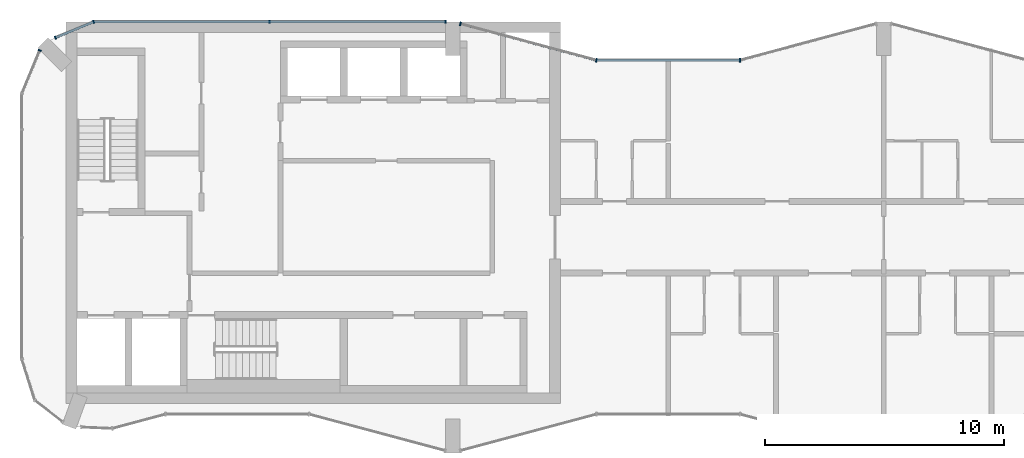
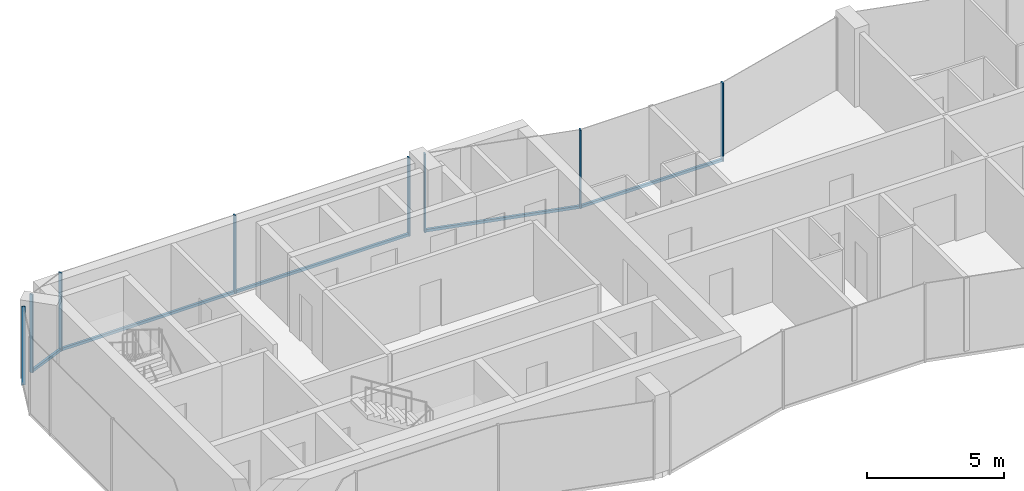
# One storey, part 4 of 10: 12 members, 5 elements without a shape of their own.
"""IFC4 building model written with IfcOpenShell, lengths in metres."""

from ifc_helpers import new_model, si_unit, direction, frame, origin, origin_2d, place, context, subcontext, project, spatial, rectangle, extrude, material, layer, layer_set, material_profile, profile_set, type_object, element, aggregate, save


model = new_model("IFC4")

# Units and contexts
model_context = context("Model", 3, precision=1e-05, world=origin(), true_north=direction((0.0, 1.0)))
body_context = subcontext(model_context, "Body", "Model", "MODEL_VIEW")
ifc_project = project(units=[si_unit("LENGTHUNIT", "METRE"), si_unit("AREAUNIT", "SQUARE_METRE"), si_unit("VOLUMEUNIT", "CUBIC_METRE"), si_unit("PLANEANGLEUNIT", "RADIAN"), si_unit("MASSUNIT", "GRAM", prefix="KILO")], contexts=[model_context])

# Site, building, storey
site_placement = place(None, origin())
site = spatial("IfcSite", under=ifc_project, at=site_placement, CompositionType="ELEMENT")
building_placement = place(site_placement, origin())
building = spatial("IfcBuilding", under=site, at=building_placement, Name="Plateau Cross Towers", CompositionType="ELEMENT")
storey_placement = place(building_placement, frame((0.0, 0.0, 270.39990234375)))
storey = spatial("IfcBuildingStorey", under=building, at=storey_placement, Name="L71", CompositionType="ELEMENT", Elevation=270.39990234375)

# Curtain wall, members
ifc_material_1 = material(Name="Dark low-iron glass", Category="glass")
ifc_layer_1 = layer(ifc_material_1, 0.239990234375)
ifc_layer_set_1 = layer_set([ifc_layer_1], Name="Dark low-iron glass")
curtain_wall_type_1 = type_object("IfcCurtainWallType", Name="Curtain wall flush unitised CW-B", PredefinedType="NOTDEFINED", material=ifc_layer_set_1)
curtain_wall_1_placement = place(storey_placement, origin())
curtain_wall_1 = element("IfcCurtainWall", 1, at=curtain_wall_1_placement, inside=storey, type_object=curtain_wall_type_1, Name="ENV/A/L71/A177_180", PredefinedType="NOTDEFINED")
ifc_material_2 = material(Name="Black anodised aluminium", Category="aluminium")
ifc_material_profile_1 = material_profile(ifc_material_2, rectangle(XDim=0.06005859375, YDim=0.139892578125, at=origin_2d()), Name="MULLION 60x140")
ifc_profile_set_1 = profile_set([ifc_material_profile_1], Name="Black anodised aluminium")
member_type_1 = type_object("IfcMemberType", Name="Mullion 60x140 flush unitised", PredefinedType="MULLION", material=ifc_profile_set_1)
member_1_placement = place(storey_placement, frame((17.699951171875, 18.0, -0.25), z_axis=(0.0, 0.0, 1.0), x_axis=(-1.0, 0.0, 0.0)))
member_1 = element("IfcMember", 2, at=member_1_placement, type_object=member_type_1, Name="CW-B mullion 1", PredefinedType="MULLION", context=body_context, shape_type="SweptSolid", body=[
    extrude(rectangle(XDim=0.06005859375, YDim=0.139892578125, at=origin_2d()), origin(), (0.0, 0.0, 1.0), 3.5),
])
member_2_placement = place(storey_placement, frame((10.35009765625, 18.0, -0.25), z_axis=(0.0, 0.0, 1.0), x_axis=(-1.0, 0.0, 0.0)))
member_2 = element("IfcMember", 3, at=member_2_placement, type_object=member_type_1, Name="CW-B mullion 2", PredefinedType="MULLION", context=body_context, shape_type="SweptSolid", body=[
    extrude(rectangle(XDim=0.06005859375, YDim=0.139892578125, at=origin_2d()), origin(), (0.0, 0.0, 1.0), 3.5),
])

curtain_wall_2_placement = place(storey_placement, origin())
curtain_wall_2 = element("IfcCurtainWall", 4, at=curtain_wall_2_placement, inside=storey, type_object=curtain_wall_type_1, Name="ENV/A/L71/A30_180", PredefinedType="NOTDEFINED")
member_3_placement = place(storey_placement, frame((3.0, 18.0, -0.25), z_axis=(0.0, 0.0, 1.0), x_axis=(-0.923879457699, -0.382683612978, 0.0)))
member_3 = element("IfcMember", 5, at=member_3_placement, type_object=member_type_1, Name="CW-B mullion 1", PredefinedType="MULLION", context=body_context, shape_type="SweptSolid", body=[
    extrude(rectangle(XDim=0.06005859375, YDim=0.139892578125, at=origin_2d()), origin(), (0.0, 0.0, 1.0), 3.5),
])
member_4_placement = place(storey_placement, frame((1.4033203125, 17.338623046875, -0.25), z_axis=(0.0, 0.0, 1.0), x_axis=(-0.923879457699, -0.382683612978, 0.0)))
member_4 = element("IfcMember", 6, at=member_4_placement, type_object=member_type_1, Name="CW-B mullion 2", PredefinedType="MULLION", context=body_context, shape_type="SweptSolid", body=[
    extrude(rectangle(XDim=0.06005859375, YDim=0.139892578125, at=origin_2d()), origin(), (0.0, 0.0, 1.0), 3.5),
])

# Curtain wall, member
curtain_wall_3_placement = place(storey_placement, origin())
curtain_wall_3 = element("IfcCurtainWall", 7, at=curtain_wall_3_placement, inside=storey, type_object=curtain_wall_type_1, Name="ENV/A/L71/A7_168", PredefinedType="NOTDEFINED")
member_5_placement = place(storey_placement, frame((0.748046875, 16.805908203125, -0.25), z_axis=(0.0, 0.0, 1.0), x_axis=(-0.382683612978, -0.923879457699, 0.0)))
member_5 = element("IfcMember", 8, at=member_5_placement, type_object=member_type_1, Name="CW-B mullion 1", PredefinedType="MULLION", context=body_context, shape_type="SweptSolid", body=[
    extrude(rectangle(XDim=0.06005859375, YDim=0.139892578125, at=origin_2d()), origin(), (0.0, 0.0, 1.0), 3.5),
])
aggregate(curtain_wall_3, [member_5])

ifc_layer_2 = layer(ifc_material_1, 0.260009765625)
ifc_layer_set_2 = layer_set([ifc_layer_2], Name="Dark low-iron glass")
curtain_wall_type_2 = type_object("IfcCurtainWallType", Name="Curtain wall fluted unitised CW-A", PredefinedType="NOTDEFINED", material=ifc_layer_set_2)
curtain_wall_4_placement = place(storey_placement, origin())
curtain_wall_4 = element("IfcCurtainWall", 9, at=curtain_wall_4_placement, inside=storey, type_object=curtain_wall_type_2, Name="ENV/A/L71/A300_164", PredefinedType="NOTDEFINED")
ifc_material_profile_2 = material_profile(ifc_material_2, rectangle(XDim=0.06005859375, YDim=0.159912109375, at=origin_2d()), Name="MULLION 60x160")
ifc_profile_set_2 = profile_set([ifc_material_profile_2], Name="Black anodised aluminium")
member_type_2 = type_object("IfcMemberType", Name="Mullion 60x160 fluted unitised", PredefinedType="MULLION", material=ifc_profile_set_2)
member_6_placement = place(storey_placement, frame((30.0, 16.39306640625, -0.25), z_axis=(0.0, 0.0, 1.0), x_axis=(-1.0, 0.0, 0.0)))
member_6 = element("IfcMember", 10, at=member_6_placement, type_object=member_type_2, Name="CW-A mullion 1", PredefinedType="MULLION", context=body_context, shape_type="SweptSolid", body=[
    extrude(rectangle(XDim=0.06005859375, YDim=0.159912109375, at=origin_2d()), origin(), (0.0, 0.0, 1.0), 3.5),
])

# Curtain wall, members
curtain_wall_5_placement = place(storey_placement, origin())
curtain_wall_5 = element("IfcCurtainWall", 11, at=curtain_wall_5_placement, inside=storey, type_object=curtain_wall_type_2, Name="ENV/A/L71/A240_164", PredefinedType="NOTDEFINED")
member_7_placement = place(storey_placement, frame((24.0, 16.39306640625, -0.25), z_axis=(0.0, 0.0, 1.0), x_axis=(-0.965957983404, 0.258699003279, 0.0)))
member_7 = element("IfcMember", 12, at=member_7_placement, type_object=member_type_2, Name="CW-A mullion 1", PredefinedType="MULLION", context=body_context, shape_type="SweptSolid", body=[
    extrude(rectangle(XDim=0.06005859375, YDim=0.159912109375, at=origin_2d()), origin(), (0.0, 0.0, 1.0), 3.5),
])
member_8_placement = place(storey_placement, frame((18.31787109375, 17.914794921875, -0.25), z_axis=(0.0, 0.0, 1.0), x_axis=(-0.965957983404, 0.258699003279, 0.0)))
member_8 = element("IfcMember", 13, at=member_8_placement, type_object=member_type_2, Name="CW-A mullion 2", PredefinedType="MULLION", context=body_context, shape_type="SweptSolid", body=[
    extrude(rectangle(XDim=0.06005859375, YDim=0.159912109375, at=origin_2d()), origin(), (0.0, 0.0, 1.0), 3.5),
])

# Member
ifc_material_profile_3 = material_profile(ifc_material_2, rectangle(XDim=0.10009765625, YDim=0.1201171875, at=origin_2d()), Name="TRANSOM 100x120")
ifc_profile_set_3 = profile_set([ifc_material_profile_3], Name="Black anodised aluminium")
member_type_3 = type_object("IfcMemberType", Name="Transom 100x120 flush unitised", PredefinedType="USERDEFINED", material=ifc_profile_set_3)
member_9_placement = place(storey_placement, frame((17.699951171875, 18.0, -0.18994140625), z_axis=(-1.0, 0.0, 0.0), x_axis=(0.0, -1.0, 0.0)))
member_9 = element("IfcMember", 14, at=member_9_placement, type_object=member_type_3, Name="CW-B transom", ObjectType="TRANSOM", PredefinedType="USERDEFINED", context=body_context, shape_type="SweptSolid", body=[
    extrude(rectangle(XDim=0.10009765625, YDim=0.1201171875, at=origin_2d()), origin(), (0.0, 0.0, 1.0), 14.699951171875),
])

aggregate(curtain_wall_1, [member_1, member_2, member_9])

member_10_placement = place(storey_placement, frame((3.0, 18.0, -0.18994140625), z_axis=(-0.923877369776, -0.382688653628, 0.0), x_axis=(0.382688653628, -0.923877369776, 0.0)))
member_10 = element("IfcMember", 15, at=member_10_placement, type_object=member_type_3, Name="CW-B transom", ObjectType="TRANSOM", PredefinedType="USERDEFINED", context=body_context, shape_type="SweptSolid", body=[
    extrude(rectangle(XDim=0.10009765625, YDim=0.1201171875, at=origin_2d()), origin(), (0.0, 0.0, 1.0), 1.728271484375),
])

aggregate(curtain_wall_2, [member_3, member_4, member_10])

ifc_material_profile_4 = material_profile(ifc_material_2, rectangle(XDim=0.10009765625, YDim=0.1201171875, at=origin_2d()), Name="TRANSOM 100x120")
ifc_profile_set_4 = profile_set([ifc_material_profile_4], Name="Black anodised aluminium")
member_type_4 = type_object("IfcMemberType", Name="Transom 100x120 fluted unitised", PredefinedType="USERDEFINED", material=ifc_profile_set_4)
member_11_placement = place(storey_placement, frame((30.0, 16.39306640625, -0.18994140625), z_axis=(-1.0, 0.0, 0.0), x_axis=(0.0, -1.0, 0.0)))
member_11 = element("IfcMember", 16, at=member_11_placement, type_object=member_type_4, Name="CW-A transom", ObjectType="TRANSOM", PredefinedType="USERDEFINED", context=body_context, shape_type="SweptSolid", body=[
    extrude(rectangle(XDim=0.10009765625, YDim=0.1201171875, at=origin_2d()), origin(), (0.0, 0.0, 1.0), 6.0),
])

aggregate(curtain_wall_4, [member_6, member_11])

member_12_placement = place(storey_placement, frame((24.0, 16.39306640625, -0.18994140625), z_axis=(-0.965959534794, 0.258693210465, 0.0), x_axis=(-0.258693210465, -0.965959534794, 0.0)))
member_12 = element("IfcMember", 17, at=member_12_placement, type_object=member_type_4, Name="CW-A transom", ObjectType="TRANSOM", PredefinedType="USERDEFINED", context=body_context, shape_type="SweptSolid", body=[
    extrude(rectangle(XDim=0.10009765625, YDim=0.1201171875, at=origin_2d()), origin(), (0.0, 0.0, 1.0), 5.88232421875),
])

aggregate(curtain_wall_5, [member_7, member_8, member_12])

save(model, "model.ifc")
